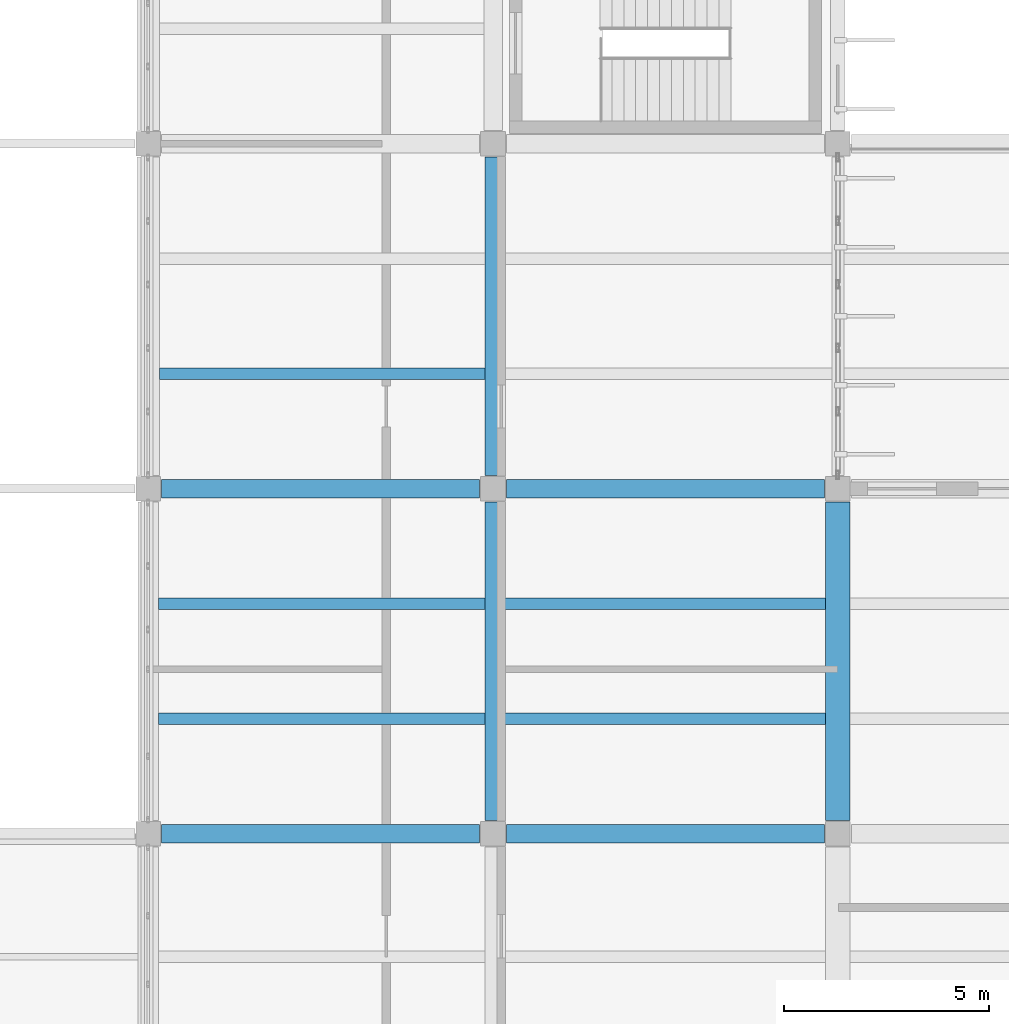
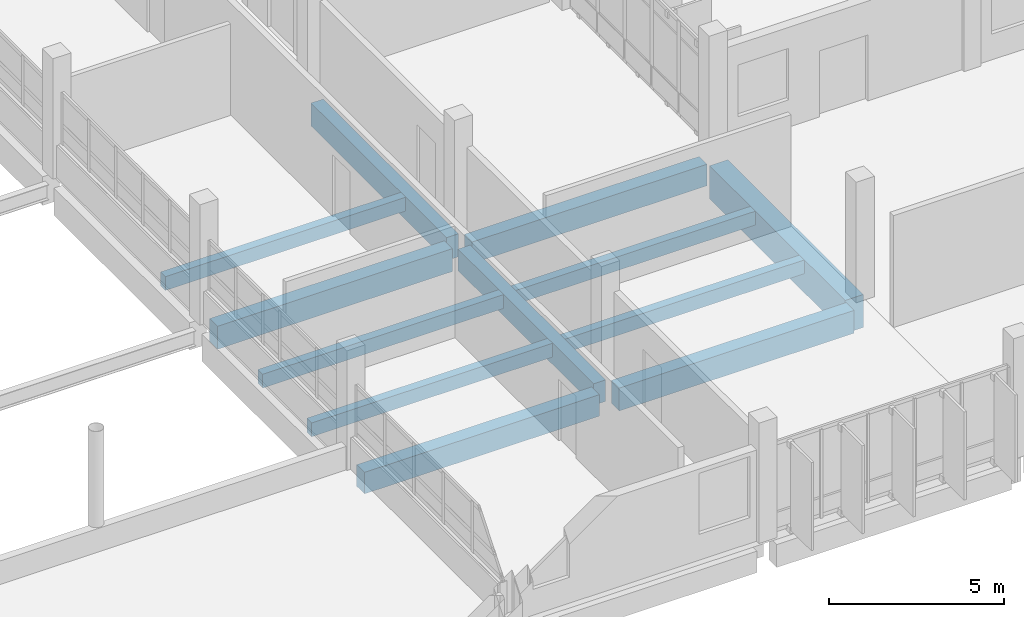
# One storey, part 32 of 130: 12 beams.
"""IFC4 building model written with IfcOpenShell, lengths in metres."""

from ifc_helpers import new_model, si_unit, direction, frame, origin, origin_2d, place, context, subcontext, project, spatial, rectangle, extrude, material, material_profile, profile_set, type_object, element, save


model = new_model("IFC4")

# Units and contexts
model_context = context("Model", 3, precision=1e-05, world=origin(), true_north=direction((0.0, 1.0)))
body_context = subcontext(model_context, "Body", "Model", "MODEL_VIEW")
ifc_project = project(units=[si_unit("LENGTHUNIT", "METRE"), si_unit("AREAUNIT", "SQUARE_METRE"), si_unit("VOLUMEUNIT", "CUBIC_METRE"), si_unit("PLANEANGLEUNIT", "RADIAN"), si_unit("MASSUNIT", "GRAM", prefix="KILO")], contexts=[model_context])

# Site, building, storey
site_placement = place(None, origin())
site = spatial("IfcSite", under=ifc_project, at=site_placement, CompositionType="ELEMENT")
building_placement = place(site_placement, origin())
building = spatial("IfcBuilding", under=site, at=building_placement, Name="Vireocrest Preparatory School", CompositionType="ELEMENT")
storey_placement = place(building_placement, frame((0.0, 0.0, 9.0)))
storey = spatial("IfcBuildingStorey", under=building, at=storey_placement, Name="L02", CompositionType="ELEMENT", Elevation=9.0)

# Beams
ifc_material = material(Name="Concrete 40 MPa", Category="concrete")
ifc_material_profile_1 = material_profile(ifc_material, rectangle(XDim=0.39990234375, YDim=0.75, at=origin_2d()), Name="RC 400x750")
ifc_profile_set_1 = profile_set([ifc_material_profile_1], Name="Concrete 40 MPa")
beam_type_1 = type_object("IfcBeamType", Name="RC Commons Girder 400x750", PredefinedType="BEAM", material=ifc_profile_set_1)
beam_1_placement = place(storey_placement, frame((100.800048828125, 27.324951171875, -0.675048828125), z_axis=(0.0, 1.0, 0.0), x_axis=(-1.0, 0.0, 0.0)))
element("IfcBeam", 1, at=beam_1_placement, inside=storey, type_object=beam_type_1, Name="Primary Girder B09 L02-0848", PredefinedType="BEAM", context=body_context, shape_type="SweptSolid", body=[
    extrude(rectangle(XDim=0.39990234375, YDim=0.75, at=origin_2d()), origin(), (0.0, 0.0, 1.0), 7.75),
])
ifc_material_profile_2 = material_profile(ifc_material, rectangle(XDim=0.60009765625, YDim=1.14990234375, at=origin_2d()), Name="RC 600x1150")
ifc_profile_set_2 = profile_set([ifc_material_profile_2], Name="Concrete 40 MPa")
beam_type_2 = type_object("IfcBeamType", Name="RC Heavy Transfer Girder 600x1150", PredefinedType="BEAM", material=ifc_profile_set_2)
beam_2_placement = place(storey_placement, frame((109.199951171875, 27.324951171875, -0.875), z_axis=(0.0, 1.0, 0.0), x_axis=(-1.0, 0.0, 0.0)))
element("IfcBeam", 2, at=beam_2_placement, inside=storey, type_object=beam_type_2, Name="Primary Girder B20 L02-0859", PredefinedType="BEAM", context=body_context, shape_type="SweptSolid", body=[
    extrude(rectangle(XDim=0.60009765625, YDim=1.14990234375, at=origin_2d()), origin(), (0.0, 0.0, 1.0), 7.75),
])
ifc_material_profile_3 = material_profile(ifc_material, rectangle(XDim=0.39990234375, YDim=0.800048828125, at=origin_2d()), Name="RC 400x800")
ifc_profile_set_3 = profile_set([ifc_material_profile_3], Name="Concrete 40 MPa")
beam_type_3 = type_object("IfcBeamType", Name="RC Library Reading Girder 400x800", PredefinedType="BEAM", material=ifc_profile_set_3)
beam_3_placement = place(storey_placement, frame((100.800048828125, 35.72509765625, -0.699951171875), z_axis=(0.0, 1.0, 0.0), x_axis=(-1.0, 0.0, 0.0)))
element("IfcBeam", 3, at=beam_3_placement, inside=storey, type_object=beam_type_3, Name="Primary Girder B10 L02-0849", PredefinedType="BEAM", context=body_context, shape_type="SweptSolid", body=[
    extrude(rectangle(XDim=0.39990234375, YDim=0.800048828125, at=origin_2d()), origin(), (0.0, 0.0, 1.0), 7.75),
])
ifc_material_profile_4 = material_profile(ifc_material, rectangle(XDim=0.449951171875, YDim=0.75, at=origin_2d()), Name="RC 450x750")
ifc_profile_set_4 = profile_set([ifc_material_profile_4], Name="Concrete 40 MPa")
beam_type_4 = type_object("IfcBeamType", Name="RC Library Stack Girder 450x750", PredefinedType="BEAM", material=ifc_profile_set_4)
for number, where, z_axis, x_axis, name in (
    (4, (92.72509765625, 27.0, -0.675048828125), (1.0, 0.0, 0.0), (0.0, 1.0, 0.0), "Primary Girder B11 L02-0697"),
    (5, (101.125, 35.39990234375, -0.675048828125), (1.0, 0.0, 0.0), (0.0, 1.0, 0.0), "Primary Girder B11 L02-0709"),
):
    element("IfcBeam", number, at=place(storey_placement, frame(where, z_axis=z_axis, x_axis=x_axis)), inside=storey, type_object=beam_type_4, Name=name, PredefinedType="BEAM", context=body_context, shape_type="SweptSolid", body=[
        extrude(rectangle(XDim=0.449951171875, YDim=0.75, at=origin_2d()), origin(), (0.0, 0.0, 1.0), 7.75),
    ])
ifc_material_profile_5 = material_profile(ifc_material, rectangle(XDim=0.449951171875, YDim=0.800048828125, at=origin_2d()), Name="RC 450x800")
ifc_profile_set_5 = profile_set([ifc_material_profile_5], Name="Concrete 40 MPa")
beam_type_5 = type_object("IfcBeamType", Name="RC Library Stack Girder 450x800", PredefinedType="BEAM", material=ifc_profile_set_5)
for number, where, z_axis, x_axis, name in (
    (6, (101.125, 27.0, -0.699951171875), (1.0, 0.0, 0.0), (0.0, 1.0, 0.0), "Primary Girder B12 L02-0698"),
    (7, (92.72509765625, 35.39990234375, -0.699951171875), (1.0, 0.0, 0.0), (0.0, 1.0, 0.0), "Primary Girder B12 L02-0708"),
):
    element("IfcBeam", number, at=place(storey_placement, frame(where, z_axis=z_axis, x_axis=x_axis)), inside=storey, type_object=beam_type_5, Name=name, PredefinedType="BEAM", context=body_context, shape_type="SweptSolid", body=[
        extrude(rectangle(XDim=0.449951171875, YDim=0.800048828125, at=origin_2d()), origin(), (0.0, 0.0, 1.0), 7.75),
    ])
ifc_material_profile_6 = material_profile(ifc_material, rectangle(XDim=0.280029296875, YDim=0.47998046875, at=origin_2d()), Name="RC 280x480")
ifc_profile_set_6 = profile_set([ifc_material_profile_6], Name="Concrete 40 MPa")
beam_type_6 = type_object("IfcBeamType", Name="RC Secondary Lab Joist 280x480", PredefinedType="JOIST", material=ifc_profile_set_6)
for number, where, z_axis, x_axis, name in (
    (8, (92.64990234375, 29.800048828125, -0.5400390625), (1.0, 0.0, 0.0), (0.0, 1.0, 0.0), "Secondary Joist J02 L02-0968"),
    (9, (92.64990234375, 32.60009765625, -0.5400390625), (1.0, 0.0, 0.0), (0.0, 1.0, 0.0), "Secondary Joist J02 L02-0969"),
):
    element("IfcBeam", number, at=place(storey_placement, frame(where, z_axis=z_axis, x_axis=x_axis)), inside=storey, type_object=beam_type_6, Name=name, PredefinedType="JOIST", context=body_context, shape_type="SweptSolid", body=[
        extrude(rectangle(XDim=0.280029296875, YDim=0.47998046875, at=origin_2d()), origin(), (0.0, 0.0, 1.0), 7.9501953125),
    ])
beam_4_placement = place(storey_placement, frame((92.675048828125, 38.199951171875, -0.5400390625), z_axis=(1.0, 0.0, 0.0), x_axis=(0.0, 1.0, 0.0)))
element("IfcBeam", 10, at=beam_4_placement, inside=storey, type_object=beam_type_6, Name="Secondary Joist J02 L02-0970", PredefinedType="JOIST", context=body_context, shape_type="SweptSolid", body=[
    extrude(rectangle(XDim=0.280029296875, YDim=0.47998046875, at=origin_2d()), origin(), (0.0, 0.0, 1.0), 7.925048828125),
])
for number, where, z_axis, x_axis, name in (
    (11, (101.0, 29.800048828125, -0.5400390625), (1.0, 0.0, 0.0), (0.0, 1.0, 0.0), "Secondary Joist J02 L02-0990"),
    (12, (101.0, 32.60009765625, -0.5400390625), (1.0, 0.0, 0.0), (0.0, 1.0, 0.0), "Secondary Joist J02 L02-0991"),
):
    element("IfcBeam", number, at=place(storey_placement, frame(where, z_axis=z_axis, x_axis=x_axis)), inside=storey, type_object=beam_type_6, Name=name, PredefinedType="JOIST", context=body_context, shape_type="SweptSolid", body=[
        extrude(rectangle(XDim=0.280029296875, YDim=0.47998046875, at=origin_2d()), origin(), (0.0, 0.0, 1.0), 7.89990234375),
    ])

save(model, "model.ifc")
